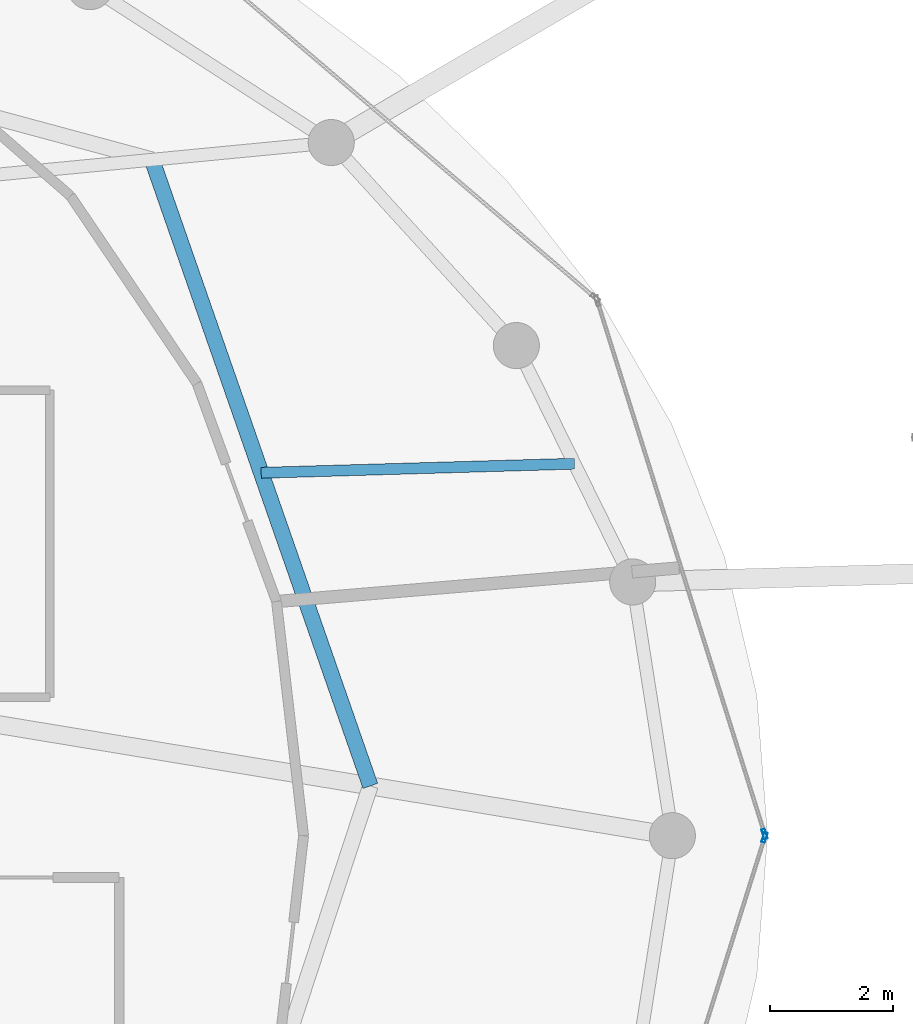
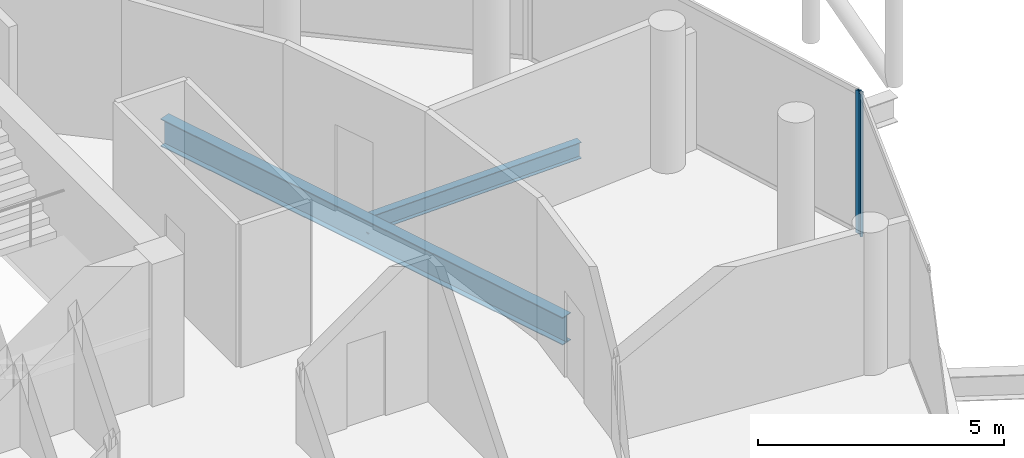
# One storey, part 12 of 24: 2 beams, 2 members, 2 elements without a shape of their own.
"""IFC4 building model written with IfcOpenShell, lengths in metres."""

from ifc_helpers import new_model, si_unit, direction, frame, origin, origin_2d, place, context, subcontext, project, spatial, hollow_rectangle, i_section, extrude, material, layer, layer_set, material_profile, profile_set, type_object, element, aggregate, save


model = new_model("IFC4")

# Units and contexts
model_context = context("Model", 3, precision=1e-05, world=origin(), true_north=direction((0.0, 1.0)))
body_context = subcontext(model_context, "Body", "Model", "MODEL_VIEW")
ifc_project = project(units=[si_unit("LENGTHUNIT", "METRE"), si_unit("AREAUNIT", "SQUARE_METRE"), si_unit("VOLUMEUNIT", "CUBIC_METRE"), si_unit("PLANEANGLEUNIT", "RADIAN"), si_unit("MASSUNIT", "GRAM", prefix="KILO")], contexts=[model_context])

# Site, building, storey
site_placement = place(None, origin())
site = spatial("IfcSite", under=ifc_project, at=site_placement, CompositionType="ELEMENT")
building_placement = place(site_placement, origin())
building = spatial("IfcBuilding", under=site, at=building_placement, Name="Nuhasar Tower", CompositionType="ELEMENT")
storey_placement = place(building_placement, frame((0.0, 0.0, 278.39990234375)))
storey = spatial("IfcBuildingStorey", under=building, at=storey_placement, Name="L69", CompositionType="ELEMENT", Elevation=278.39990234375)

# Beams
ifc_material_1 = material(Name="Steel S355", Category="steel")
ifc_material_profile_1 = material_profile(ifc_material_1, i_section(OverallWidth=0.25390625, OverallDepth=0.68408203125, WebThickness=0.012451171875, FlangeThickness=0.018798828125, at=origin_2d()), Name="W27X94")
ifc_profile_set_1 = profile_set([ifc_material_profile_1], Name="Steel S355")
beam_type_1 = type_object("IfcBeamType", Name="BM-INRING-W27X94", PredefinedType="BEAM", material=ifc_profile_set_1)
beam_1_placement = place(storey_placement, frame((53.035888671875, 27.610107421875, -0.601806640625), z_axis=(-0.329211236979, 0.944256300718, 0.0), x_axis=(-0.944256300718, -0.329211236979, 0.0)))
element("IfcBeam", 1, at=beam_1_placement, inside=storey, type_object=beam_type_1, Name="L69 Inner Header Beam 04", PredefinedType="BEAM", context=body_context, shape_type="SweptSolid", body=[
    extrude(i_section(OverallWidth=0.25390625, OverallDepth=0.68408203125, WebThickness=0.012451171875, FlangeThickness=0.018798828125, at=origin_2d()), origin(), (0.0, 0.0, 1.0), 10.78955078125),
])
ifc_material_profile_2 = material_profile(ifc_material_1, i_section(OverallWidth=0.177978515625, OverallDepth=0.406005859375, WebThickness=0.0078125, FlangeThickness=0.0126953125, at=origin_2d()), Name="W16X40")
ifc_profile_set_2 = profile_set([ifc_material_profile_2], Name="Steel S355")
beam_type_2 = type_object("IfcBeamType", Name="BM-JST-W16X40", PredefinedType="JOIST", material=ifc_profile_set_2)
beam_2_placement = place(storey_placement, frame((51.260009765625, 32.7041015625, -0.462890625), z_axis=(0.999579139243, 0.02900938453, 0.0), x_axis=(-0.02900938453, 0.999579139243, 0.0)))
element("IfcBeam", 2, at=beam_2_placement, inside=storey, type_object=beam_type_2, Name="L69 Secondary Floor Joist 04", PredefinedType="JOIST", context=body_context, shape_type="SweptSolid", body=[
    extrude(i_section(OverallWidth=0.177978515625, OverallDepth=0.406005859375, WebThickness=0.0078125, FlangeThickness=0.0126953125, at=origin_2d()), origin(), (0.0, 0.0, 1.0), 5.10009765625),
])

# Curtain wall, member
ifc_material_2 = material(Name="Aluminium 6063-T6", Category="aluminium")
ifc_layer = layer(ifc_material_2, 0.18994140625)
ifc_layer_set = layer_set([ifc_layer], Name="Aluminium 6063-T6")
curtain_wall_type = type_object("IfcCurtainWallType", Name="CW-Z4-PEN", PredefinedType="NOTDEFINED", material=ifc_layer_set)
curtain_wall_1_placement = place(storey_placement, origin())
curtain_wall_1 = element("IfcCurtainWall", 3, at=curtain_wall_1_placement, inside=storey, type_object=curtain_wall_type, Name="L69 Unitised Curtain Wall 01", PredefinedType="NOTDEFINED")
ifc_material_profile_3 = material_profile(ifc_material_2, hollow_rectangle(XDim=0.06005859375, YDim=0.1650390625, WallThickness=0.0048828125, at=origin_2d()), Name="CWM-5")
ifc_profile_set_3 = profile_set([ifc_material_profile_3], Name="Aluminium 6063-T6")
member_type = type_object("IfcMemberType", Name="CW-MUL-S5", PredefinedType="MULLION", material=ifc_profile_set_3)
member_1_placement = place(storey_placement, frame((59.450927734375, 26.82861328125, 0.0), z_axis=(0.0, 0.0, 1.0), x_axis=(-0.954078526601, -0.299556614146, 0.0)))
member_1 = element("IfcMember", 4, at=member_1_placement, type_object=member_type, Name="CW-Z4 mullion 1", PredefinedType="MULLION", context=body_context, shape_type="SweptSolid", body=[
    extrude(hollow_rectangle(XDim=0.06005859375, YDim=0.1650390625, WallThickness=0.0048828125, at=origin_2d()), origin(), (0.0, 0.0, 1.0), 3.5400390625),
])
aggregate(curtain_wall_1, [member_1])

curtain_wall_2_placement = place(storey_placement, origin())
curtain_wall_2 = element("IfcCurtainWall", 5, at=curtain_wall_2_placement, inside=storey, type_object=curtain_wall_type, Name="L69 Unitised Curtain Wall 12", PredefinedType="NOTDEFINED")
member_2_placement = place(storey_placement, frame((59.450927734375, 26.771484375, 0.0), z_axis=(0.0, 0.0, 1.0), x_axis=(-0.954078526601, 0.299556614146, 0.0)))
member_2 = element("IfcMember", 6, at=member_2_placement, type_object=member_type, Name="CW-Z4 mullion 2", PredefinedType="MULLION", context=body_context, shape_type="SweptSolid", body=[
    extrude(hollow_rectangle(XDim=0.06005859375, YDim=0.1650390625, WallThickness=0.0048828125, at=origin_2d()), origin(), (0.0, 0.0, 1.0), 3.5400390625),
])
aggregate(curtain_wall_2, [member_2])

save(model, "model.ifc")
